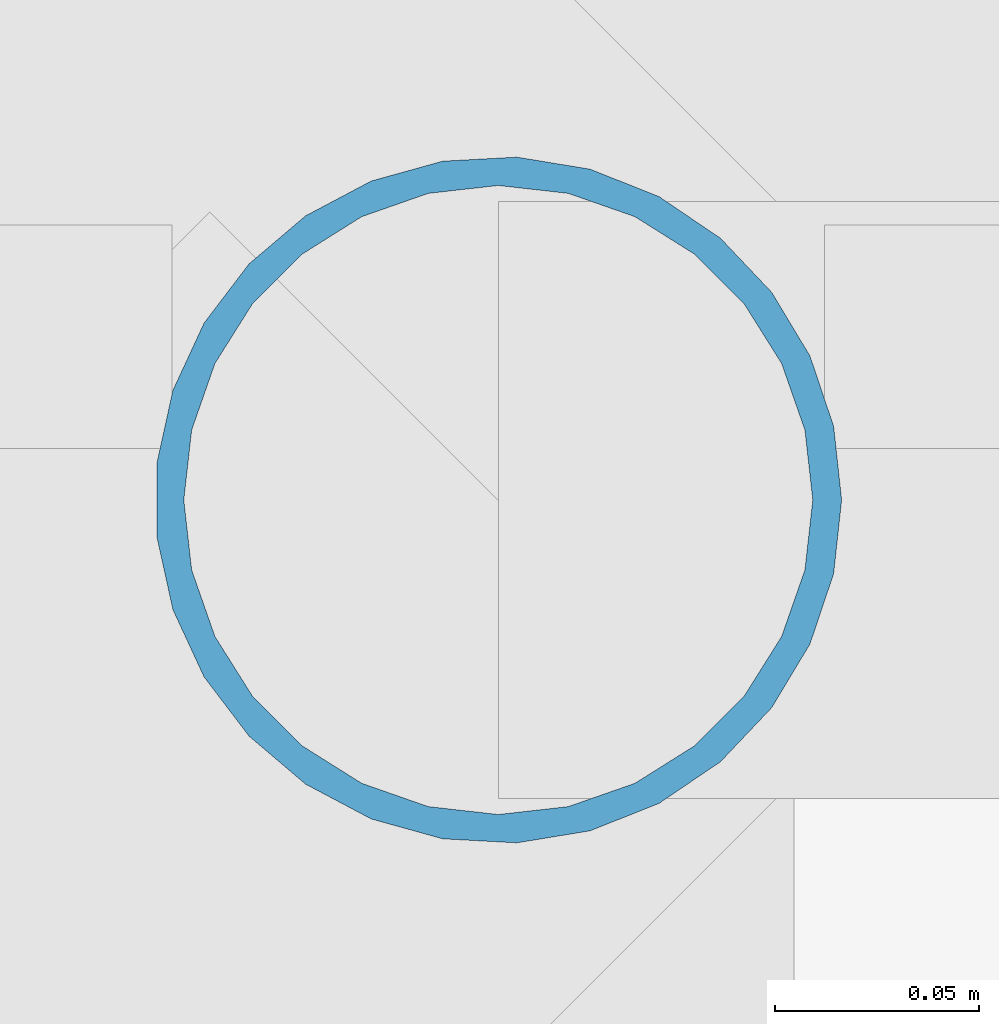
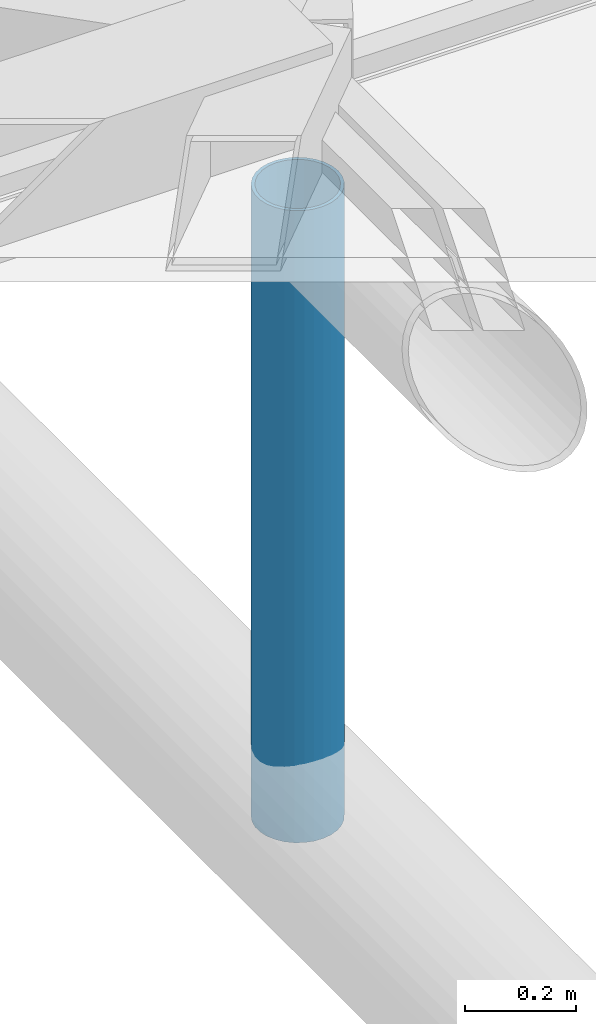
# One storey, part 51 of 80: 1 member.
"""IFC4 building model written with IfcOpenShell, lengths in metres."""

from ifc_helpers import new_model, si_unit, direction, frame, origin, origin_2d, place, context, subcontext, project, spatial, hollow_circle, extrude, material, material_profile, profile_set, type_object, element, save


model = new_model("IFC4")

# Units and contexts
model_context = context("Model", 3, precision=1e-05, world=origin(), true_north=direction((0.0, 1.0)))
body_context = subcontext(model_context, "Body", "Model", "MODEL_VIEW")
ifc_project = project(units=[si_unit("LENGTHUNIT", "METRE"), si_unit("AREAUNIT", "SQUARE_METRE"), si_unit("VOLUMEUNIT", "CUBIC_METRE"), si_unit("PLANEANGLEUNIT", "RADIAN"), si_unit("MASSUNIT", "GRAM", prefix="KILO"), si_unit("THERMODYNAMICTEMPERATUREUNIT", "KELVIN"), si_unit("POWERUNIT", "WATT")], contexts=[model_context])

# Site, building, storey
site_placement = place(None, origin())
site = spatial("IfcSite", under=ifc_project, at=site_placement, CompositionType="ELEMENT")
building_placement = place(site_placement, origin())
building = spatial("IfcBuilding", under=site, at=building_placement, Name="Tallowbark Science Centre", CompositionType="ELEMENT")
storey_placement = place(building_placement, frame((0.0, 0.0, 25.949951171875)))
storey = spatial("IfcBuildingStorey", under=building, at=storey_placement, Name="ROOF", CompositionType="ELEMENT", Elevation=25.949951171875)

# Member
ifc_material = material(Name="White Architectural Painted Steel Grade C350L0 (350 MPa)", Category="steel")
ifc_material_profile = material_profile(ifc_material, hollow_circle(Radius=0.084228515625, WallThickness=0.007080078125, at=origin_2d()), Name="168.3x7.1CHS")
ifc_profile_set = profile_set([ifc_material_profile], Name="White Architectural Painted Steel Grade C350L0 (350 MPa)")
member_type = type_object("IfcMemberType", Name="TR-WEB168", PredefinedType="BRACE", material=ifc_profile_set)
member_placement = place(storey_placement, frame((103.5, 22.5, -1.199951171875), z_axis=(0.0, 0.0, 1.0), x_axis=(1.0, 0.0, 0.0)))
element("IfcMember", 1, at=member_placement, inside=storey, type_object=member_type, Name="Exhibition Roof Truss Web 11-22.5", PredefinedType="BRACE", context=body_context, shape_type="SweptSolid", body=[
    extrude(hollow_circle(Radius=0.084228515625, WallThickness=0.007080078125, at=origin_2d()), origin(), (0.0, 0.0, 1.0), 1.389892578125),
])

save(model, "model.ifc")
